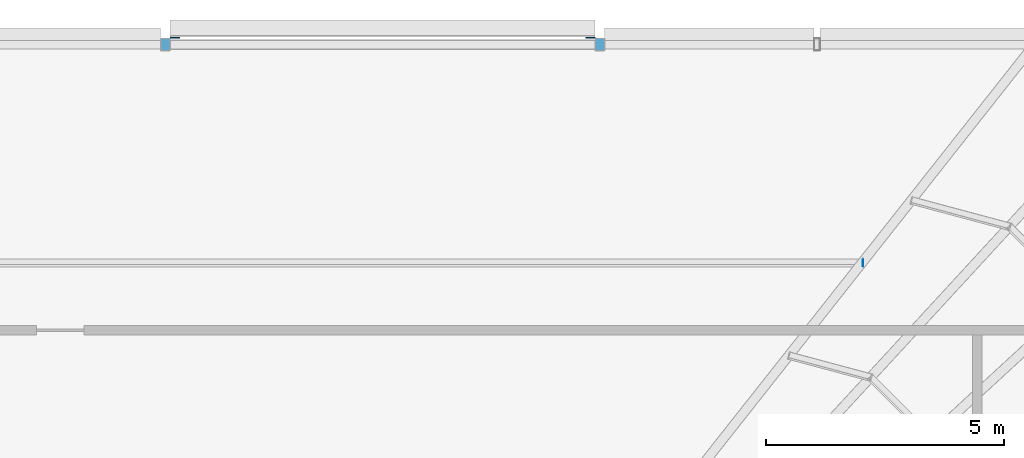
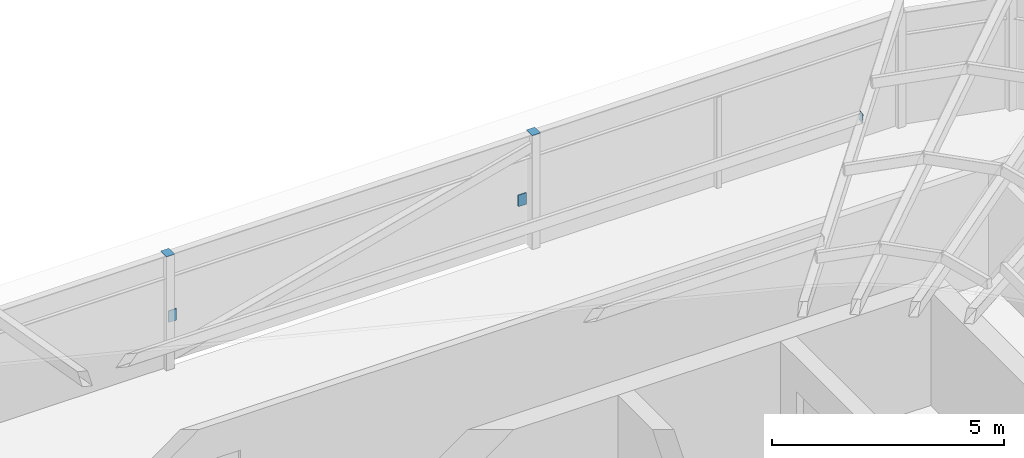
# One storey, part 40 of 46: 5 discrete accessories.
"""IFC4 building model written with IfcOpenShell, lengths in metres."""

import ifcopenshell
import ifcopenshell.guid

model = None  # the IFC model being written
_history = None  # IfcOwnerHistory: only IFC2X3 demands one
_inside = {}  # id of a spatial element -> (the spatial element, [elements in it])
_under = {}  # id of a project, library or spatial element -> (it, [spatial elements below it])
_declared = {}  # id of a project -> (the project, [libraries it declares])
_typed = {}  # id of a type object -> (the type object, [elements of that type])
_made_of = {}  # id of a material, layer set ... -> (it, [elements and type objects made of it])


def new_model(schema):
    """Start an empty IFC model of exactly this schema.

    Asked for "IFC4X3", IfcOpenShell would pick the latest addendum, in which some entities
    have other attributes; the version numbers below select the first issue.
    IFC2X3 requires an IfcOwnerHistory on every rooted entity: one is made here for all.
    """
    global model, _history
    if schema == "IFC4X3":
        model = ifcopenshell.file(schema_version=(4, 3, 0, 0))
    else:
        model = ifcopenshell.file(schema=schema)
    _inside.clear()
    _under.clear()
    _declared.clear()
    _typed.clear()
    _made_of.clear()
    _history = None
    if model.schema == "IFC2X3":
        org = make("IfcOrganization", Name="unknown")
        user = make(
            "IfcPersonAndOrganization",
            ThePerson=make("IfcPerson", FamilyName="unknown"),
            TheOrganization=org,
        )
        app = make(
            "IfcApplication",
            ApplicationDeveloper=org,
            Version="unknown",
            ApplicationFullName="unknown",
            ApplicationIdentifier="unknown",
        )
        _history = make(
            "IfcOwnerHistory",
            OwningUser=user,
            OwningApplication=app,
            ChangeAction="ADDED",
            CreationDate=0,
        )
    return model


def make(cls, **values):
    """One entity of the class cls with the attributes given. An attribute that is None is left unset."""
    return model.create_entity(
        cls, **{name: value for name, value in values.items() if value is not None}
    )


def rooted(cls, **values):
    """An entity with a GlobalId (a new one), such as an element, a storey or a relation."""
    return make(cls, GlobalId=ifcopenshell.guid.new(), OwnerHistory=_history, **values)


def si_unit(unit_type, name, prefix=None):
    """IfcSIUnit, for example si_unit("LENGTHUNIT", "METRE", prefix="MILLI")."""
    return make("IfcSIUnit", UnitType=unit_type, Prefix=prefix, Name=name)


def assignment(units):
    """IfcUnitAssignment: the units of a project."""
    return None if units is None else make("IfcUnitAssignment", Units=units)


def point(xyz):
    """IfcCartesianPoint."""
    return None if xyz is None else make("IfcCartesianPoint", Coordinates=xyz)


def direction(xyz):
    """IfcDirection."""
    return None if xyz is None else make("IfcDirection", DirectionRatios=xyz)


def frame(location, z_axis=None, x_axis=None):
    """IfcAxis2Placement3D, a coordinate frame: its origin and axes. An axis left out is left unset."""
    return make(
        "IfcAxis2Placement3D",
        Location=point(location),
        Axis=direction(z_axis),
        RefDirection=direction(x_axis),
    )


def frame_2d(location, x_axis=None):
    """IfcAxis2Placement2D, a coordinate frame in the plane: its origin and x axis."""
    return make(
        "IfcAxis2Placement2D", Location=point(location), RefDirection=direction(x_axis)
    )


def origin():
    """The frame at (0, 0, 0) with its axes left unset."""
    return frame((0.0, 0.0, 0.0))


def origin_2d():
    """The frame at (0, 0) in the plane with its x axis left unset."""
    return frame_2d((0.0, 0.0))


def place(relative_to, where):
    """IfcLocalPlacement: puts the frame where relative to a parent placement (None: the world)."""
    return make(
        "IfcLocalPlacement", PlacementRelTo=relative_to, RelativePlacement=where
    )


def context(
    kind, dimensions, precision=None, world=None, true_north=None, identifier=None
):
    """IfcGeometricRepresentationContext, for example the 3D "Model" context."""
    return make(
        "IfcGeometricRepresentationContext",
        ContextIdentifier=identifier,
        ContextType=kind,
        CoordinateSpaceDimension=dimensions,
        Precision=precision,
        WorldCoordinateSystem=world,
        TrueNorth=true_north,
    )


def subcontext(parent, identifier, kind, view, scale=None):
    """IfcGeometricRepresentationSubContext, for example "Body" below "Model"."""
    return make(
        "IfcGeometricRepresentationSubContext",
        ContextIdentifier=identifier,
        ContextType=kind,
        ParentContext=parent,
        TargetScale=scale,
        TargetView=view,
    )


def project(units=None, contexts=None):
    """IfcProject with its units and contexts."""
    return rooted(
        "IfcProject",
        Name="project",
        RepresentationContexts=contexts,
        UnitsInContext=assignment(units),
    )


def spatial(cls, under=None, at=None, **own):
    """A site, building, storey or space (cls), placed at a placement, below another one or the project."""
    s = rooted(cls, ObjectPlacement=at, **own)
    if under is not None:
        _under.setdefault(under.id(), (under, []))[1].append(s)
    return s


def profile(cls, at=None, kind="AREA", **sizes):
    """A parametric profile (cls). Its sizes go by their IFC names, for example OverallWidth=200.0."""
    return make(cls, ProfileType=kind, Position=at, **sizes)


def rectangle(**sizes):
    """IfcRectangleProfileDef."""
    return profile("IfcRectangleProfileDef", **sizes)


def extrude(swept, where, along, depth):
    """IfcExtrudedAreaSolid: the profile swept, set in the frame where, extruded along a direction by depth."""
    return make(
        "IfcExtrudedAreaSolid",
        SweptArea=swept,
        Position=where,
        ExtrudedDirection=direction(along),
        Depth=depth,
    )


def shape(context_of_items, identifier, shape_type, items):
    """IfcShapeRepresentation: the items that make up one representation, for example the "Body"."""
    return make(
        "IfcShapeRepresentation",
        ContextOfItems=context_of_items,
        RepresentationIdentifier=identifier,
        RepresentationType=shape_type,
        Items=items,
    )


def material(Name=None, Category=None):
    """IfcMaterial."""
    return make("IfcMaterial", Name=Name, Category=Category)


def made_of(thing, what):
    """Note that an element or type object is made of a material, layer set ...; save() writes the relation."""
    if what is not None:
        _made_of.setdefault(what.id(), (what, []))[1].append(thing)
    return thing


def type_object(cls, material=None, **own):
    """A type object (cls), such as IfcWallType, which elements share."""
    return made_of(rooted(cls, **own), material)


def element(
    cls,
    number,
    at=None,
    inside=None,
    cuts=None,
    type_object=None,
    material=None,
    context=None,
    identifier="Body",
    shape_type=None,
    held_by="IfcProductDefinitionShape",
    body=None,
    shapes=None,
    **own,
):
    """One element of the class cls, such as IfcWall. Its Tag is "e" and its number.

    at: its placement. inside: the storey or other place that contains it. cuts: it is an
    opening in that element (IfcRelVoidsElement). A single representation is given by context,
    identifier, shape_type and body (its items); several are given by shapes. held_by: the class
    of the entity that holds the representations. save() writes the other relations.
    """
    e = rooted(cls, Tag="e%d" % number, ObjectPlacement=at, **own)
    if body is not None:
        shapes = [shape(context, identifier, shape_type, body)]
    if shapes is not None:
        e.Representation = make(held_by, Representations=shapes)
    if inside is not None:
        _inside.setdefault(inside.id(), (inside, []))[1].append(e)
    if cuts is not None:
        rooted(
            "IfcRelVoidsElement", RelatingBuildingElement=cuts, RelatedOpeningElement=e
        )
    if type_object is not None:
        _typed.setdefault(type_object.id(), (type_object, []))[1].append(e)
    return made_of(e, material)


def aggregate(whole, parts):
    """IfcRelAggregates: a whole, such as a stair, and the parts it consists of."""
    return rooted("IfcRelAggregates", RelatingObject=whole, RelatedObjects=parts)


def save(model, path):
    """Write the relations noted so far, then the file.

    IfcRelAggregates (storeys below a building ...), IfcRelContainedInSpatialStructure (elements
    in a storey), IfcRelDefinesByType, IfcRelAssociatesMaterial and IfcRelDeclares: one each for
    every whole, place, type object, material and project.
    """
    for whole, parts in _under.values():
        aggregate(whole, parts)
    for where, things in _inside.values():
        rooted(
            "IfcRelContainedInSpatialStructure",
            RelatedElements=things,
            RelatingStructure=where,
        )
    for kind, things in _typed.values():
        rooted("IfcRelDefinesByType", RelatedObjects=things, RelatingType=kind)
    for what, things in _made_of.values():
        rooted("IfcRelAssociatesMaterial", RelatedObjects=things, RelatingMaterial=what)
    for by, libraries in _declared.values():
        rooted("IfcRelDeclares", RelatingContext=by, RelatedDefinitions=libraries)
    model.write(path)


model = new_model("IFC4")

# Units and contexts
model_context = context("Model", 3, precision=1e-05, world=origin(), true_north=direction((0.0, 1.0)))
body_context = subcontext(model_context, "Body", "Model", "MODEL_VIEW")
ifc_project = project(units=[si_unit("LENGTHUNIT", "METRE"), si_unit("AREAUNIT", "SQUARE_METRE"), si_unit("VOLUMEUNIT", "CUBIC_METRE"), si_unit("PLANEANGLEUNIT", "RADIAN"), si_unit("MASSUNIT", "GRAM", prefix="KILO")], contexts=[model_context])

# Site, building, storey
site_placement = place(None, origin())
site = spatial("IfcSite", under=ifc_project, at=site_placement, CompositionType="ELEMENT")
building_placement = place(site_placement, origin())
building = spatial("IfcBuilding", under=site, at=building_placement, Name="Madar Terraces", CompositionType="ELEMENT")
storey_placement = place(building_placement, frame((0.0, 0.0, 317.300048828125)))
storey = spatial("IfcBuildingStorey", under=building, at=storey_placement, Name="L82", CompositionType="ELEMENT", Elevation=317.300048828125)

# Discrete accessories
ifc_material_1 = material(Name="Steel plate ASTM A36, galvanised", Category="steel")
discrete_accessory_type_1 = type_object("IfcDiscreteAccessoryType", Name="Hollow section end plate", PredefinedType="BRACKET", material=ifc_material_1)
discrete_accessory_placement = place(storey_placement, frame((48.0, 42.218017578125, 4.22900390625), z_axis=(1.0, 0.0, 0.0), x_axis=(0.0, 0.984957023705, 0.172799483372)))
element("IfcDiscreteAccessory", 1, at=discrete_accessory_placement, inside=storey, type_object=discrete_accessory_type_1, Name="Hollow section end plate", PredefinedType="BRACKET", context=body_context, shape_type="SweptSolid", body=[
    extrude(rectangle(XDim=0.126953125, YDim=0.25390625, at=origin_2d()), origin(), (0.0, 0.0, 1.0), 0.011962890625),
])
for number, where, z_axis, x_axis, name in (
    (2, (42.47998046875, 46.800048828125, 3.0), (0.0, 0.0, 1.0), (1.0, 0.0, 0.0), "Hollow section end plate"),
    (3, (33.360107421875, 46.800048828125, 3.0), (0.0, 0.0, 1.0), (1.0, 0.0, 0.0), "Hollow section end plate"),
):
    element("IfcDiscreteAccessory", number, at=place(storey_placement, frame(where, z_axis=z_axis, x_axis=x_axis)), inside=storey, type_object=discrete_accessory_type_1, Name=name, PredefinedType="BRACKET", context=body_context, shape_type="SweptSolid", body=[
        extrude(rectangle(XDim=0.203125, YDim=0.25390625, at=origin_2d()), origin(), (0.0, 0.0, 1.0), 0.011962890625),
    ])
ifc_material_2 = material(Name="Steel, galvanised", Category="steel")
discrete_accessory_type_2 = type_object("IfcDiscreteAccessoryType", Name="Louvre bank bracket", PredefinedType="BRACKET", material=ifc_material_2)
for number, where, z_axis, x_axis, name in (
    (4, (42.2783203125, 46.94189453125, 1.048828125), (0.0, 0.0, 1.0), (-1.0, 0.0, 0.0), "Louvre bank bracket"),
    (5, (33.5615234375, 46.94189453125, 1.048828125), (0.0, 0.0, 1.0), (-1.0, 0.0, 0.0), "Louvre bank bracket"),
):
    element("IfcDiscreteAccessory", number, at=place(storey_placement, frame(where, z_axis=z_axis, x_axis=x_axis)), inside=storey, type_object=discrete_accessory_type_2, Name=name, PredefinedType="BRACKET", context=body_context, shape_type="SweptSolid", body=[
        extrude(rectangle(XDim=0.199951171875, YDim=0.030029296875, at=origin_2d()), origin(), (0.0, 0.0, 1.0), 0.300048828125),
    ])

save(model, "model.ifc")
